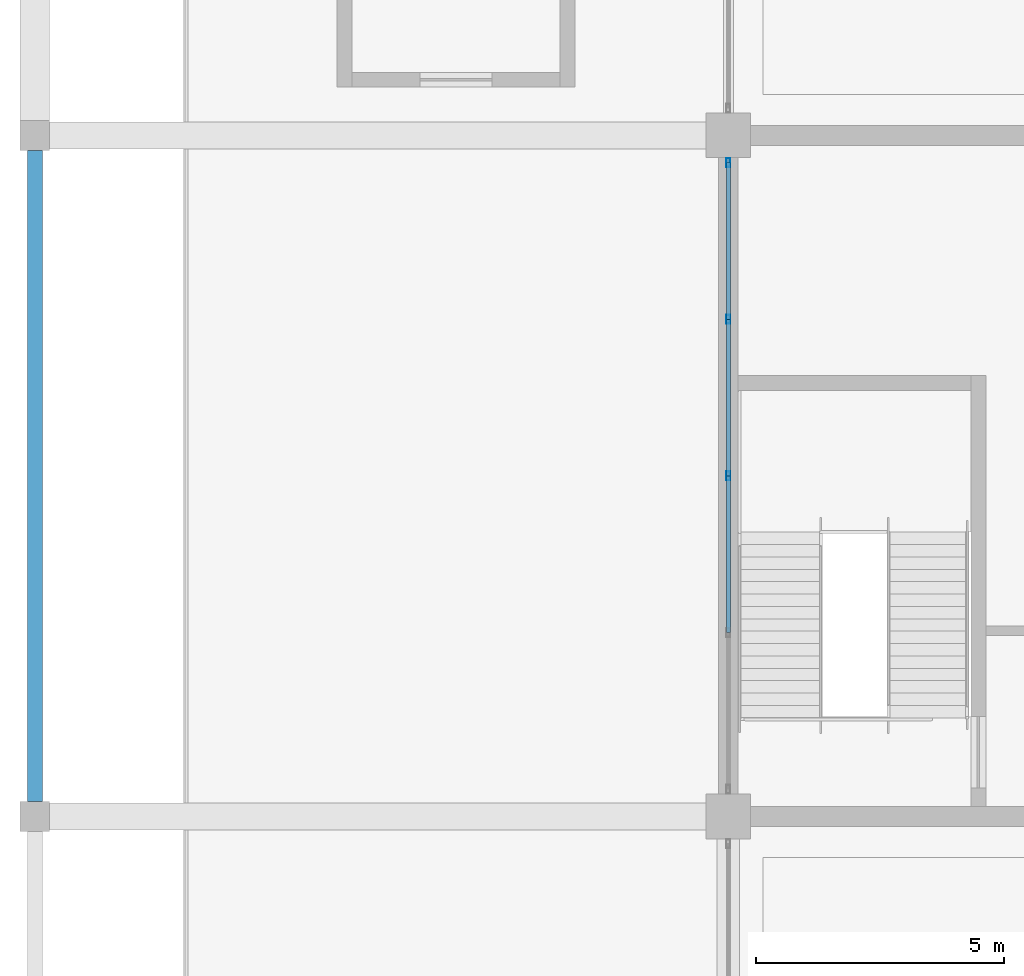
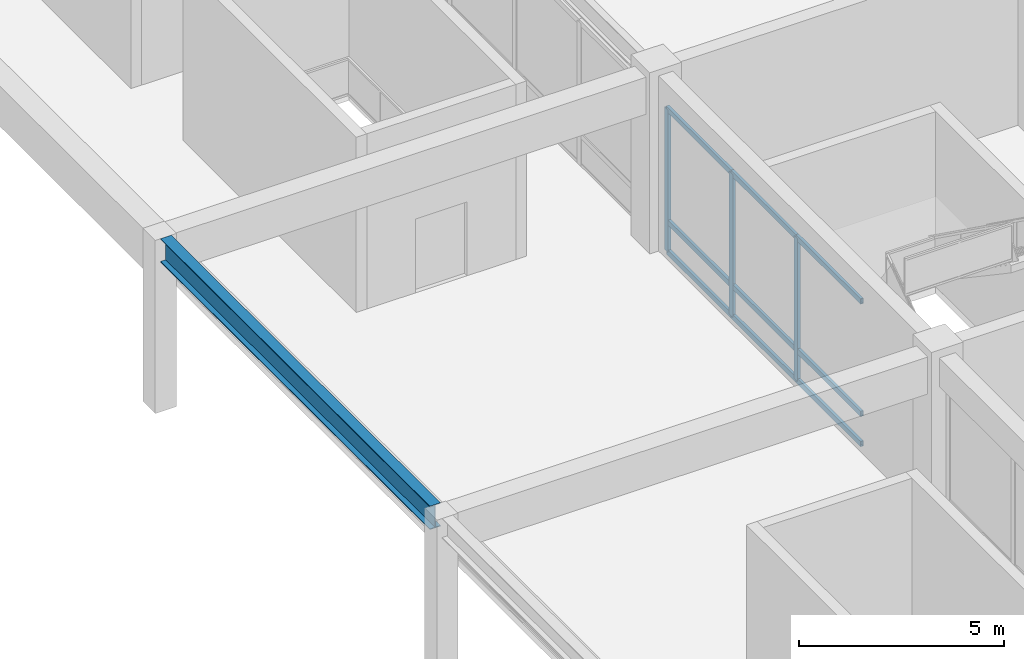
# One storey, part 29 of 90: 12 members, 1 beam, 1 element without a shape of its own.
"""IFC4 building model written with IfcOpenShell, lengths in metres."""

from ifc_helpers import new_model, si_unit, direction, frame, origin, origin_2d, place, context, subcontext, project, spatial, hollow_rectangle, i_section, extrude, material, material_profile, profile_set, type_object, element, aggregate, save


model = new_model("IFC4")

# Units and contexts
model_context = context("Model", 3, precision=1e-05, world=origin(), true_north=direction((0.0, 1.0)))
body_context = subcontext(model_context, "Body", "Model", "MODEL_VIEW")
ifc_project = project(units=[si_unit("LENGTHUNIT", "METRE"), si_unit("AREAUNIT", "SQUARE_METRE"), si_unit("VOLUMEUNIT", "CUBIC_METRE"), si_unit("PLANEANGLEUNIT", "RADIAN"), si_unit("MASSUNIT", "GRAM", prefix="KILO")], contexts=[model_context])

# Site, building, storey
site_placement = place(None, origin())
site = spatial("IfcSite", under=ifc_project, at=site_placement, CompositionType="ELEMENT")
building_placement = place(site_placement, origin())
building = spatial("IfcBuilding", under=site, at=building_placement, Name="Linyun Crest Stadium", CompositionType="ELEMENT")
storey_placement = place(building_placement, frame((0.0, 0.0, 21.0)))
storey = spatial("IfcBuildingStorey", under=building, at=storey_placement, Name="L05", CompositionType="ELEMENT", Elevation=21.0)

# Beam
ifc_material_1 = material(Name="Steel Q355C", Category="steel")
ifc_material_profile_1 = material_profile(ifc_material_1, i_section(OverallWidth=0.300048828125, OverallDepth=0.699951171875, WebThickness=0.012939453125, FlangeThickness=0.02392578125, at=origin_2d()), Name="HN 700x300")
ifc_profile_set_1 = profile_set([ifc_material_profile_1], Name="Steel Q355C")
beam_type = type_object("IfcBeamType", Name="B12", PredefinedType="BEAM", material=ifc_profile_set_1)
beam_placement = place(storey_placement, frame((-98.0, 2.425048828125, 4.81005859375), z_axis=(0.0, 1.0, 0.0), x_axis=(-1.0, 0.0, 0.0)))
element("IfcBeam", 1, at=beam_placement, inside=storey, type_object=beam_type, Name="Frame beam B12 L05 362", PredefinedType="BEAM", context=body_context, shape_type="SweptSolid", body=[
    extrude(i_section(OverallWidth=0.300048828125, OverallDepth=0.699951171875, WebThickness=0.012939453125, FlangeThickness=0.02392578125, at=origin_2d()), origin(), (0.0, 0.0, 1.0), 13.14990234375),
])

# Curtain wall, members
ifc_material_2 = material(Name="Verdigris steel and low-E curtain wall assembly", Category="steel")
curtain_wall_type = type_object("IfcCurtainWallType", Name="MCW01", PredefinedType="NOTDEFINED", material=ifc_material_2)
curtain_wall_placement = place(storey_placement, origin())
curtain_wall = element("IfcCurtainWall", 2, at=curtain_wall_placement, inside=storey, type_object=curtain_wall_type, Name="CWR-103", PredefinedType="NOTDEFINED")
ifc_material_3 = material(Name="Verdigris painted steel Q355B mullion", Category="steel")
ifc_material_profile_2 = material_profile(ifc_material_3, hollow_rectangle(XDim=0.080078125, YDim=0.179931640625, WallThickness=0.006103515625, at=origin_2d()), Name="RHS 180x80x6")
ifc_profile_set_2 = profile_set([ifc_material_profile_2], Name="Verdigris painted steel Q355B mullion")
member_type_1 = type_object("IfcMemberType", Name="ML02", PredefinedType="MULLION", material=ifc_profile_set_2)
member_1_placement = place(storey_placement, frame((-84.0, 9.0, 0.0), z_axis=(0.0, 0.0, 1.0), x_axis=(-1.0, 0.0, 0.0)))
member_1 = element("IfcMember", 3, at=member_1_placement, type_object=member_type_1, Name="CWR-103 mullion 3", PredefinedType="MULLION", context=body_context, shape_type="SweptSolid", body=[
    extrude(hollow_rectangle(XDim=0.080078125, YDim=0.179931640625, WallThickness=0.006103515625, at=origin_2d()), origin(), (0.0, 0.0, 1.0), 4.25),
])
member_2_placement = place(storey_placement, frame((-84.0, 12.162109375, 0.0), z_axis=(0.0, 0.0, 1.0), x_axis=(-1.0, 0.0, 0.0)))
member_2 = element("IfcMember", 4, at=member_2_placement, type_object=member_type_1, Name="CWR-103 mullion 4", PredefinedType="MULLION", context=body_context, shape_type="SweptSolid", body=[
    extrude(hollow_rectangle(XDim=0.080078125, YDim=0.179931640625, WallThickness=0.006103515625, at=origin_2d()), origin(), (0.0, 0.0, 1.0), 4.25),
])
member_3_placement = place(storey_placement, frame((-84.0, 15.324951171875, 0.0), z_axis=(0.0, 0.0, 1.0), x_axis=(-1.0, 0.0, 0.0)))
member_3 = element("IfcMember", 5, at=member_3_placement, type_object=member_type_1, Name="CWR-103 mullion 5", PredefinedType="MULLION", context=body_context, shape_type="SweptSolid", body=[
    extrude(hollow_rectangle(XDim=0.080078125, YDim=0.179931640625, WallThickness=0.006103515625, at=origin_2d()), origin(), (0.0, 0.0, 1.0), 4.25),
])
ifc_material_4 = material(Name="Aluminium thermally broken transom", Category="aluminium")
ifc_material_profile_3 = material_profile(ifc_material_4, hollow_rectangle(XDim=0.080078125, YDim=0.159912109375, WallThickness=0.006103515625, at=origin_2d()), Name="RHS 160x80x6")
ifc_profile_set_3 = profile_set([ifc_material_profile_3], Name="Aluminium thermally broken transom")
member_type_2 = type_object("IfcMemberType", Name="TR01", PredefinedType="USERDEFINED", material=ifc_profile_set_3)
member_4_placement = place(storey_placement, frame((-84.0, 5.8369140625, 0.0), z_axis=(0.0, 1.0, 0.0), x_axis=(-1.0, 0.0, 0.0)))
member_4 = element("IfcMember", 6, at=member_4_placement, type_object=member_type_2, Name="CWR-103 transom 2.1", ObjectType="TRANSOM", PredefinedType="USERDEFINED", context=body_context, shape_type="SweptSolid", body=[
    extrude(hollow_rectangle(XDim=0.080078125, YDim=0.159912109375, WallThickness=0.006103515625, at=origin_2d()), origin(), (0.0, 0.0, 1.0), 3.1630859375),
])
member_5_placement = place(storey_placement, frame((-84.0, 5.8369140625, 0.89990234375), z_axis=(0.0, 1.0, 0.0), x_axis=(-1.0, 0.0, 0.0)))
member_5 = element("IfcMember", 7, at=member_5_placement, type_object=member_type_2, Name="CWR-103 transom 2.2", ObjectType="TRANSOM", PredefinedType="USERDEFINED", context=body_context, shape_type="SweptSolid", body=[
    extrude(hollow_rectangle(XDim=0.080078125, YDim=0.159912109375, WallThickness=0.006103515625, at=origin_2d()), origin(), (0.0, 0.0, 1.0), 3.1630859375),
])
member_6_placement = place(storey_placement, frame((-84.0, 5.8369140625, 4.25), z_axis=(0.0, 1.0, 0.0), x_axis=(-1.0, 0.0, 0.0)))
member_6 = element("IfcMember", 8, at=member_6_placement, type_object=member_type_2, Name="CWR-103 transom 2.3", ObjectType="TRANSOM", PredefinedType="USERDEFINED", context=body_context, shape_type="SweptSolid", body=[
    extrude(hollow_rectangle(XDim=0.080078125, YDim=0.159912109375, WallThickness=0.006103515625, at=origin_2d()), origin(), (0.0, 0.0, 1.0), 3.1630859375),
])
member_7_placement = place(storey_placement, frame((-84.0, 9.0, 0.0), z_axis=(0.0, 1.0, 0.0), x_axis=(-1.0, 0.0, 0.0)))
member_7 = element("IfcMember", 9, at=member_7_placement, type_object=member_type_2, Name="CWR-103 transom 3.1", ObjectType="TRANSOM", PredefinedType="USERDEFINED", context=body_context, shape_type="SweptSolid", body=[
    extrude(hollow_rectangle(XDim=0.080078125, YDim=0.159912109375, WallThickness=0.006103515625, at=origin_2d()), origin(), (0.0, 0.0, 1.0), 3.162109375),
])
member_8_placement = place(storey_placement, frame((-84.0, 9.0, 0.89990234375), z_axis=(0.0, 1.0, 0.0), x_axis=(-1.0, 0.0, 0.0)))
member_8 = element("IfcMember", 10, at=member_8_placement, type_object=member_type_2, Name="CWR-103 transom 3.2", ObjectType="TRANSOM", PredefinedType="USERDEFINED", context=body_context, shape_type="SweptSolid", body=[
    extrude(hollow_rectangle(XDim=0.080078125, YDim=0.159912109375, WallThickness=0.006103515625, at=origin_2d()), origin(), (0.0, 0.0, 1.0), 3.162109375),
])
member_9_placement = place(storey_placement, frame((-84.0, 9.0, 4.25), z_axis=(0.0, 1.0, 0.0), x_axis=(-1.0, 0.0, 0.0)))
member_9 = element("IfcMember", 11, at=member_9_placement, type_object=member_type_2, Name="CWR-103 transom 3.3", ObjectType="TRANSOM", PredefinedType="USERDEFINED", context=body_context, shape_type="SweptSolid", body=[
    extrude(hollow_rectangle(XDim=0.080078125, YDim=0.159912109375, WallThickness=0.006103515625, at=origin_2d()), origin(), (0.0, 0.0, 1.0), 3.162109375),
])
member_10_placement = place(storey_placement, frame((-84.0, 12.162109375, 0.0), z_axis=(0.0, 1.0, 0.0), x_axis=(-1.0, 0.0, 0.0)))
member_10 = element("IfcMember", 12, at=member_10_placement, type_object=member_type_2, Name="CWR-103 transom 4.1", ObjectType="TRANSOM", PredefinedType="USERDEFINED", context=body_context, shape_type="SweptSolid", body=[
    extrude(hollow_rectangle(XDim=0.080078125, YDim=0.159912109375, WallThickness=0.006103515625, at=origin_2d()), origin(), (0.0, 0.0, 1.0), 3.162841796875),
])
member_11_placement = place(storey_placement, frame((-84.0, 12.162109375, 0.89990234375), z_axis=(0.0, 1.0, 0.0), x_axis=(-1.0, 0.0, 0.0)))
member_11 = element("IfcMember", 13, at=member_11_placement, type_object=member_type_2, Name="CWR-103 transom 4.2", ObjectType="TRANSOM", PredefinedType="USERDEFINED", context=body_context, shape_type="SweptSolid", body=[
    extrude(hollow_rectangle(XDim=0.080078125, YDim=0.159912109375, WallThickness=0.006103515625, at=origin_2d()), origin(), (0.0, 0.0, 1.0), 3.162841796875),
])
member_12_placement = place(storey_placement, frame((-84.0, 12.162109375, 4.25), z_axis=(0.0, 1.0, 0.0), x_axis=(-1.0, 0.0, 0.0)))
member_12 = element("IfcMember", 14, at=member_12_placement, type_object=member_type_2, Name="CWR-103 transom 4.3", ObjectType="TRANSOM", PredefinedType="USERDEFINED", context=body_context, shape_type="SweptSolid", body=[
    extrude(hollow_rectangle(XDim=0.080078125, YDim=0.159912109375, WallThickness=0.006103515625, at=origin_2d()), origin(), (0.0, 0.0, 1.0), 3.162841796875),
])
aggregate(curtain_wall, [member_1, member_2, member_3, member_4, member_5, member_6, member_7, member_8, member_9, member_10, member_11, member_12])

save(model, "model.ifc")
